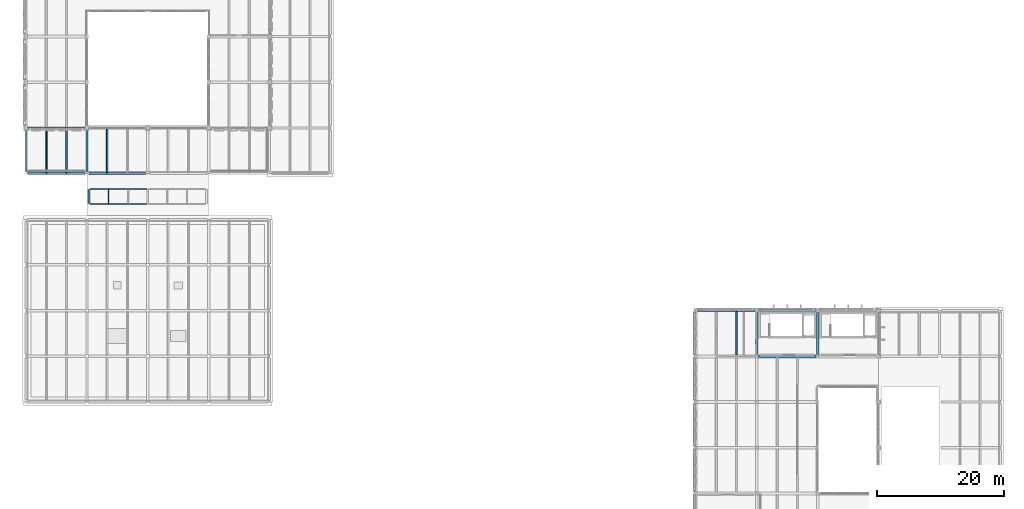
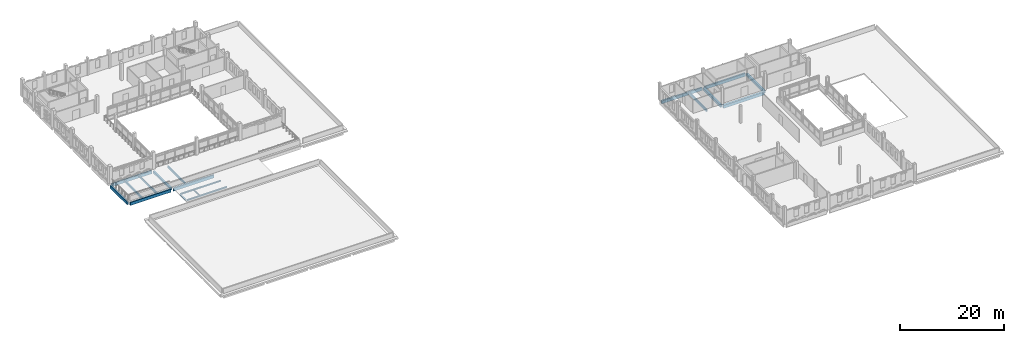
# One storey, part 9 of 50: 18 beams.
"""IFC4 building model written with IfcOpenShell, lengths in metres."""

from ifc_helpers import new_model, si_unit, direction, frame, origin, origin_2d, place, context, subcontext, project, spatial, rectangle, i_section, extrude, material, material_profile, profile_set, type_object, element, save


model = new_model("IFC4")

# Units and contexts
model_context = context("Model", 3, precision=1e-05, world=origin(), true_north=direction((0.0, 1.0)))
body_context = subcontext(model_context, "Body", "Model", "MODEL_VIEW")
ifc_project = project(units=[si_unit("LENGTHUNIT", "METRE"), si_unit("AREAUNIT", "SQUARE_METRE"), si_unit("VOLUMEUNIT", "CUBIC_METRE"), si_unit("PLANEANGLEUNIT", "RADIAN"), si_unit("MASSUNIT", "GRAM", prefix="KILO")], contexts=[model_context])

# Site, building, storey
site_placement = place(None, origin())
site = spatial("IfcSite", under=ifc_project, at=site_placement, CompositionType="ELEMENT")
building_placement = place(site_placement, origin())
building = spatial("IfcBuilding", under=site, at=building_placement, Name="Asteropetra Specialist Clinic", CompositionType="ELEMENT")
storey_placement = place(building_placement, frame((0.0, 0.0, 16.659912109375)))
storey = spatial("IfcBuildingStorey", under=building, at=storey_placement, Name="L04", CompositionType="ELEMENT", Elevation=16.659912109375)

# Beams
ifc_material_1 = material(Name="Concrete C35/45", Category="concrete")
ifc_material_profile_1 = material_profile(ifc_material_1, rectangle(XDim=0.35009765625, YDim=0.550048828125, at=origin_2d()), Name="RCB 350x550")
ifc_profile_set_1 = profile_set([ifc_material_profile_1], Name="Concrete C35/45")
beam_type_1 = type_object("IfcBeamType", Name="BM-RC350x550", PredefinedType="BEAM", material=ifc_profile_set_1)
beam_1_placement = place(storey_placement, frame((9.60009765625, 69.925048828125, -0.5849609375), z_axis=(0.0, 1.0, 0.0), x_axis=(-1.0, 0.0, 0.0)))
element("IfcBeam", 1, at=beam_1_placement, inside=storey, type_object=beam_type_1, Name="Beam BBM10-1692", PredefinedType="BEAM", context=body_context, shape_type="SweptSolid", body=[
    extrude(rectangle(XDim=0.35009765625, YDim=0.550048828125, at=origin_2d()), origin(), (0.0, 0.0, 1.0), 6.550048828125),
])
ifc_material_2 = material(Name="Concrete C35/45", Category="concrete")
ifc_material_profile_2 = material_profile(ifc_material_2, rectangle(XDim=0.39990234375, YDim=0.64990234375, at=origin_2d()), Name="RCB 400x650")
ifc_profile_set_2 = profile_set([ifc_material_profile_2], Name="Concrete C35/45")
beam_type_2 = type_object("IfcBeamType", Name="BM-RC400x650", PredefinedType="BEAM", material=ifc_profile_set_2)
for number, where, z_axis, x_axis, name in (
    (2, (115.199951171875, 41.074951171875, -0.625), (0.0, 1.0, 0.0), (-1.0, 0.0, 0.0), "Beam BBM07-1770"),
    (3, (124.800048828125, 41.074951171875, -0.625), (0.0, 1.0, 0.0), (-1.0, 0.0, 0.0), "Beam BBM07-1771"),
):
    element("IfcBeam", number, at=place(storey_placement, frame(where, z_axis=z_axis, x_axis=x_axis)), inside=storey, type_object=beam_type_2, Name=name, PredefinedType="BEAM", context=body_context, shape_type="SweptSolid", body=[
        extrude(rectangle(XDim=0.39990234375, YDim=0.64990234375, at=origin_2d()), origin(), (0.0, 0.0, 1.0), 6.650146484375),
    ])
ifc_material_3 = material(Name="Concrete C35/45", Category="concrete")
ifc_material_profile_3 = material_profile(ifc_material_3, rectangle(XDim=0.449951171875, YDim=0.699951171875, at=origin_2d()), Name="RCB 450x700")
ifc_profile_set_3 = profile_set([ifc_material_profile_3], Name="Concrete C35/45")
beam_type_3 = type_object("IfcBeamType", Name="BM-RC450x700", PredefinedType="BEAM", material=ifc_profile_set_3)
beam_2_placement = place(storey_placement, frame((115.47509765625, 40.800048828125, -0.64990234375), z_axis=(1.0, 0.0, 0.0), x_axis=(0.0, 1.0, 0.0)))
element("IfcBeam", 4, at=beam_2_placement, inside=storey, type_object=beam_type_3, Name="Beam BBM05-1720", PredefinedType="BEAM", context=body_context, shape_type="SweptSolid", body=[
    extrude(rectangle(XDim=0.449951171875, YDim=0.699951171875, at=origin_2d()), origin(), (0.0, 0.0, 1.0), 9.0498046875),
])
ifc_material_4 = material(Name="Steel S355", Category="steel")
ifc_material_profile_4 = material_profile(ifc_material_4, i_section(OverallWidth=0.280029296875, OverallDepth=0.27001953125, WebThickness=0.008056640625, FlangeThickness=0.012939453125, FilletRadius=0.02392578125, at=origin_2d()), Name="HEA 280")
ifc_profile_set_4 = profile_set([ifc_material_profile_4], Name="Steel S355")
beam_type_4 = type_object("IfcBeamType", Name="BM-STL-HEA280", PredefinedType="BEAM", material=ifc_profile_set_4)
beam_3_placement = place(storey_placement, frame((9.949951171875, 64.919921875, -0.324951171875), z_axis=(0.0, 1.0, 0.0), x_axis=(-1.0, 0.0, 0.0)))
element("IfcBeam", 5, at=beam_3_placement, inside=storey, type_object=beam_type_4, Name="Beam BBMS6-1976", PredefinedType="BEAM", context=body_context, shape_type="SweptSolid", body=[
    extrude(i_section(OverallWidth=0.280029296875, OverallDepth=0.27001953125, WebThickness=0.008056640625, FlangeThickness=0.012939453125, FilletRadius=0.02392578125, at=origin_2d()), origin(), (0.0, 0.0, 1.0), 2.16015625),
])
ifc_material_5 = material(Name="Steel S355", Category="steel")
ifc_material_profile_5 = material_profile(ifc_material_5, i_section(OverallWidth=0.169921875, OverallDepth=0.360107421875, WebThickness=0.008056640625, FlangeThickness=0.0126953125, FilletRadius=0.01806640625, at=origin_2d()), Name="IPE 360")
ifc_profile_set_5 = profile_set([ifc_material_profile_5], Name="Steel S355")
beam_type_5 = type_object("IfcBeamType", Name="BM-STL-IPE360", PredefinedType="BEAM", material=ifc_profile_set_5)
for number, where, z_axis, x_axis, name in (
    (6, (10.070068359375, 64.800048828125, -0.369873046875), (1.0, 0.0, 0.0), (0.0, 1.0, 0.0), "Beam BBMS4-1972"),
    (7, (10.070068359375, 67.199951171875, -0.369873046875), (1.0, 0.0, 0.0), (0.0, 1.0, 0.0), "Beam BBMS4-1974"),
):
    element("IfcBeam", number, at=place(storey_placement, frame(where, z_axis=z_axis, x_axis=x_axis)), inside=storey, type_object=beam_type_5, Name=name, PredefinedType="BEAM", context=body_context, shape_type="SweptSolid", body=[
        extrude(i_section(OverallWidth=0.169921875, OverallDepth=0.360107421875, WebThickness=0.008056640625, FlangeThickness=0.0126953125, FilletRadius=0.01806640625, at=origin_2d()), origin(), (0.0, 0.0, 1.0), 9.010009765625),
    ])
ifc_material_6 = material(Name="Concrete C35/45", Category="concrete")
ifc_material_profile_6 = material_profile(ifc_material_6, rectangle(XDim=0.239990234375, YDim=0.449951171875, at=origin_2d()), Name="RCJ 240x450")
ifc_profile_set_6 = profile_set([ifc_material_profile_6], Name="Concrete C35/45")
beam_type_6 = type_object("IfcBeamType", Name="JST-RC240x450", PredefinedType="JOIST", material=ifc_profile_set_6)
for number, where, z_axis, x_axis, name in (
    (8, (3.199951171875, 69.760009765625, -0.534912109375), (0.0, 1.0, 0.0), (-1.0, 0.0, 0.0), "Joist JJST03-1696"),
    (9, (6.39990234375, 69.760009765625, -0.534912109375), (0.0, 1.0, 0.0), (-1.0, 0.0, 0.0), "Joist JJST03-1697"),
    (10, (12.800048828125, 69.760009765625, -0.534912109375), (0.0, 1.0, 0.0), (-1.0, 0.0, 0.0), "Joist JJST03-1698"),
):
    element("IfcBeam", number, at=place(storey_placement, frame(where, z_axis=z_axis, x_axis=x_axis)), inside=storey, type_object=beam_type_6, Name=name, PredefinedType="JOIST", context=body_context, shape_type="SweptSolid", body=[
        extrude(rectangle(XDim=0.239990234375, YDim=0.449951171875, at=origin_2d()), origin(), (0.0, 0.0, 1.0), 6.8798828125),
    ])
ifc_material_7 = material(Name="Concrete C35/45", Category="concrete")
ifc_material_profile_7 = material_profile(ifc_material_7, rectangle(XDim=0.280029296875, YDim=0.52001953125, at=origin_2d()), Name="RCJ 280x520")
ifc_profile_set_7 = profile_set([ifc_material_profile_7], Name="Concrete C35/45")
beam_type_7 = type_object("IfcBeamType", Name="JST-RC280x520", PredefinedType="JOIST", material=ifc_profile_set_7)
beam_4_placement = place(storey_placement, frame((112.0, 41.02490234375, -0.559814453125), z_axis=(0.0, 1.0, 0.0), x_axis=(-1.0, 0.0, 0.0)))
element("IfcBeam", 11, at=beam_4_placement, inside=storey, type_object=beam_type_7, Name="Joist JJST01-1774", PredefinedType="JOIST", context=body_context, shape_type="SweptSolid", body=[
    extrude(rectangle(XDim=0.280029296875, YDim=0.52001953125, at=origin_2d()), origin(), (0.0, 0.0, 1.0), 6.815185546875),
])
ifc_material_8 = material(Name="Steel S355", Category="steel")
ifc_material_profile_8 = material_profile(ifc_material_8, i_section(OverallWidth=0.110107421875, OverallDepth=0.219970703125, WebThickness=0.005859375, FlangeThickness=0.00927734375, FilletRadius=0.011962890625, at=origin_2d()), Name="IPE 220")
ifc_profile_set_8 = profile_set([ifc_material_profile_8], Name="Steel S355")
beam_type_8 = type_object("IfcBeamType", Name="JST-STL-IPE220", PredefinedType="JOIST", material=ifc_profile_set_8)
beam_5_placement = place(storey_placement, frame((13.033203125, 64.885009765625, -0.2998046875), z_axis=(0.0, 1.0, 0.0), x_axis=(-1.0, 0.0, 0.0)))
element("IfcBeam", 12, at=beam_5_placement, inside=storey, type_object=beam_type_8, Name="Joist JJSTS2-1979", PredefinedType="JOIST", context=body_context, shape_type="SweptSolid", body=[
    extrude(i_section(OverallWidth=0.110107421875, OverallDepth=0.219970703125, WebThickness=0.005859375, FlangeThickness=0.00927734375, FilletRadius=0.011962890625, at=origin_2d()), origin(), (0.0, 0.0, 1.0), 2.22998046875),
])
ifc_material_9 = material(Name="Concrete C35/45", Category="concrete")
ifc_material_profile_9 = material_profile(ifc_material_9, rectangle(XDim=0.320068359375, YDim=0.699951171875, at=origin_2d()), Name="RCS 320x700")
ifc_profile_set_9 = profile_set([ifc_material_profile_9], Name="Concrete C35/45")
beam_type_9 = type_object("IfcBeamType", Name="SPN-RC320x700", PredefinedType="SPANDREL", material=ifc_profile_set_9)
beam_6_placement = place(storey_placement, frame((0.27490234375, 69.60009765625, -0.659912109375), z_axis=(1.0, 0.0, 0.0), x_axis=(0.0, 1.0, 0.0)))
element("IfcBeam", 13, at=beam_6_placement, inside=storey, type_object=beam_type_9, Name="Beam BSPN02-1683", PredefinedType="SPANDREL", context=body_context, shape_type="SweptSolid", body=[
    extrude(rectangle(XDim=0.320068359375, YDim=0.699951171875, at=origin_2d()), origin(), (0.0, 0.0, 1.0), 9.0),
])
beam_7_placement = place(storey_placement, frame((9.925048828125, 69.60009765625, -0.659912109375), z_axis=(1.0, 0.0, 0.0), x_axis=(0.0, 1.0, 0.0)))
element("IfcBeam", 14, at=beam_7_placement, inside=storey, type_object=beam_type_9, Name="Beam BSPN02-1684", PredefinedType="SPANDREL", context=body_context, shape_type="SweptSolid", body=[
    extrude(rectangle(XDim=0.320068359375, YDim=0.699951171875, at=origin_2d()), origin(), (0.0, 0.0, 1.0), 8.949951171875),
])
beam_8_placement = place(storey_placement, frame((0.27490234375, 76.800048828125, -0.659912109375), z_axis=(1.0, 0.0, 0.0), x_axis=(0.0, 1.0, 0.0)))
element("IfcBeam", 15, at=beam_8_placement, inside=storey, type_object=beam_type_9, Name="Beam BSPN02-1687", PredefinedType="SPANDREL", context=body_context, shape_type="SweptSolid", body=[
    extrude(rectangle(XDim=0.320068359375, YDim=0.699951171875, at=origin_2d()), origin(), (0.0, 0.0, 1.0), 9.0),
])
beam_9_placement = place(storey_placement, frame((0.0, 69.97509765625, -0.659912109375), z_axis=(0.0, 1.0, 0.0), x_axis=(-1.0, 0.0, 0.0)))
element("IfcBeam", 16, at=beam_9_placement, inside=storey, type_object=beam_type_9, Name="Beam BSPN02-1691", PredefinedType="SPANDREL", context=body_context, shape_type="SweptSolid", body=[
    extrude(rectangle(XDim=0.320068359375, YDim=0.699951171875, at=origin_2d()), origin(), (0.0, 0.0, 1.0), 6.449951171875),
])
beam_10_placement = place(storey_placement, frame((105.875, 48.0, -0.64990234375), z_axis=(1.0, 0.0, 0.0), x_axis=(0.0, 1.0, 0.0)))
element("IfcBeam", 17, at=beam_10_placement, inside=storey, type_object=beam_type_9, Name="Beam BSPN02-1722", PredefinedType="SPANDREL", context=body_context, shape_type="SweptSolid", body=[
    extrude(rectangle(XDim=0.320068359375, YDim=0.699951171875, at=origin_2d()), origin(), (0.0, 0.0, 1.0), 9.050048828125),
])
beam_11_placement = place(storey_placement, frame((115.47509765625, 48.0, -0.64990234375), z_axis=(1.0, 0.0, 0.0), x_axis=(0.0, 1.0, 0.0)))
element("IfcBeam", 18, at=beam_11_placement, inside=storey, type_object=beam_type_9, Name="Beam BSPN02-1723", PredefinedType="SPANDREL", context=body_context, shape_type="SweptSolid", body=[
    extrude(rectangle(XDim=0.320068359375, YDim=0.699951171875, at=origin_2d()), origin(), (0.0, 0.0, 1.0), 9.0498046875),
])

save(model, "model.ifc")
